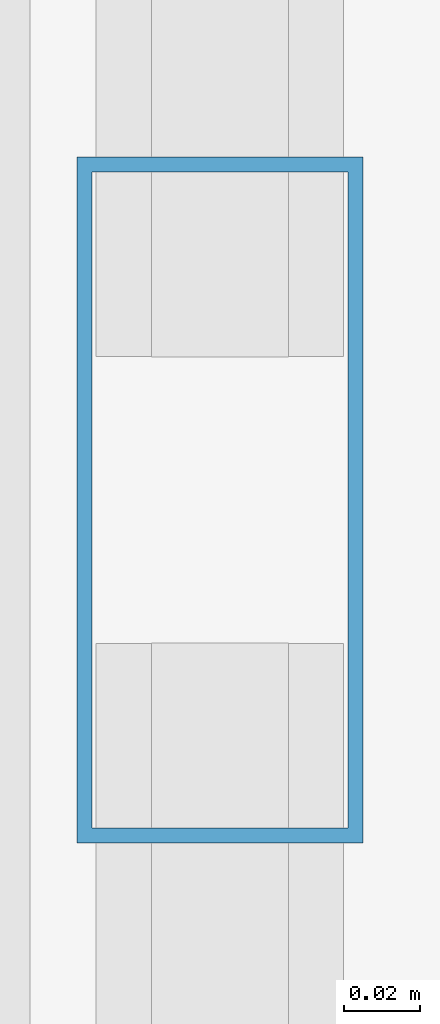
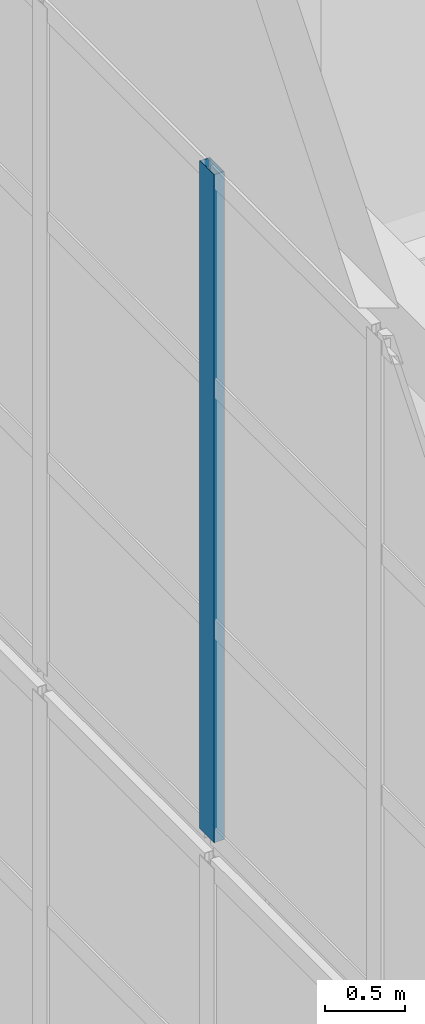
# One storey, part 12 of 47: 1 member, 1 element without a shape of its own.
"""IFC4 building model written with IfcOpenShell, lengths in metres."""

from ifc_helpers import new_model, si_unit, direction, frame, origin, origin_2d, place, context, subcontext, project, spatial, hollow_rectangle, extrude, material, layer, layer_set, material_profile, profile_set, type_object, element, aggregate, save


model = new_model("IFC4")

# Units and contexts
model_context = context("Model", 3, precision=1e-05, world=origin(), true_north=direction((0.0, 1.0)))
body_context = subcontext(model_context, "Body", "Model", "MODEL_VIEW")
ifc_project = project(units=[si_unit("LENGTHUNIT", "METRE"), si_unit("AREAUNIT", "SQUARE_METRE"), si_unit("VOLUMEUNIT", "CUBIC_METRE"), si_unit("PLANEANGLEUNIT", "RADIAN"), si_unit("MASSUNIT", "GRAM", prefix="KILO")], contexts=[model_context])

# Site, building, storey
site_placement = place(None, origin())
site = spatial("IfcSite", under=ifc_project, at=site_placement, CompositionType="ELEMENT")
building_placement = place(site_placement, origin())
building = spatial("IfcBuilding", under=site, at=building_placement, Name="Qiaolan Cultural Towers", CompositionType="ELEMENT")
storey_placement = place(building_placement, frame((0.0, 0.0, 280.199951171875)))
storey = spatial("IfcBuildingStorey", under=building, at=storey_placement, Name="RF", CompositionType="ELEMENT", Elevation=280.199951171875)

# Curtain wall, member
ifc_material_1 = material(Name="Unitized Anodized Aluminium Curtain Wall System", Category="aluminium")
ifc_layer = layer(ifc_material_1, 0.199951171875)
ifc_layer_set = layer_set([ifc_layer], Name="Unitized Anodized Aluminium Curtain Wall System")
curtain_wall_type = type_object("IfcCurtainWallType", Name="CWS-06", PredefinedType="NOTDEFINED", material=ifc_layer_set)
curtain_wall_placement = place(storey_placement, origin())
curtain_wall = element("IfcCurtainWall", 1, at=curtain_wall_placement, inside=storey, type_object=curtain_wall_type, Name="T1 Crown Tier 5 Fritted Screen Curtain Wall 7", PredefinedType="NOTDEFINED")
ifc_material_2 = material(Name="Extruded Aluminium 6063-T6", Category="aluminium")
ifc_material_profile = material_profile(ifc_material_2, hollow_rectangle(XDim=0.074951171875, YDim=0.179931640625, WallThickness=0.00390625, at=origin_2d()), Name="CWM-180x75x4")
ifc_profile_set = profile_set([ifc_material_profile], Name="Extruded Aluminium 6063-T6")
member_type = type_object("IfcMemberType", Name="CWS-06-MUL", PredefinedType="MULLION", material=ifc_profile_set)
member_placement = place(storey_placement, frame((14.949951171875, 34.0, 21.300048828125), z_axis=(0.0, 0.0, 1.0), x_axis=(1.0, 0.0, 0.0)))
member = element("IfcMember", 2, at=member_placement, type_object=member_type, Name="CW-6 mullion 4", PredefinedType="MULLION", context=body_context, shape_type="SweptSolid", body=[
    extrude(hollow_rectangle(XDim=0.074951171875, YDim=0.179931640625, WallThickness=0.00390625, at=origin_2d()), origin(), (0.0, 0.0, 1.0), 5.10009765625),
])
aggregate(curtain_wall, [member])

save(model, "model.ifc")
